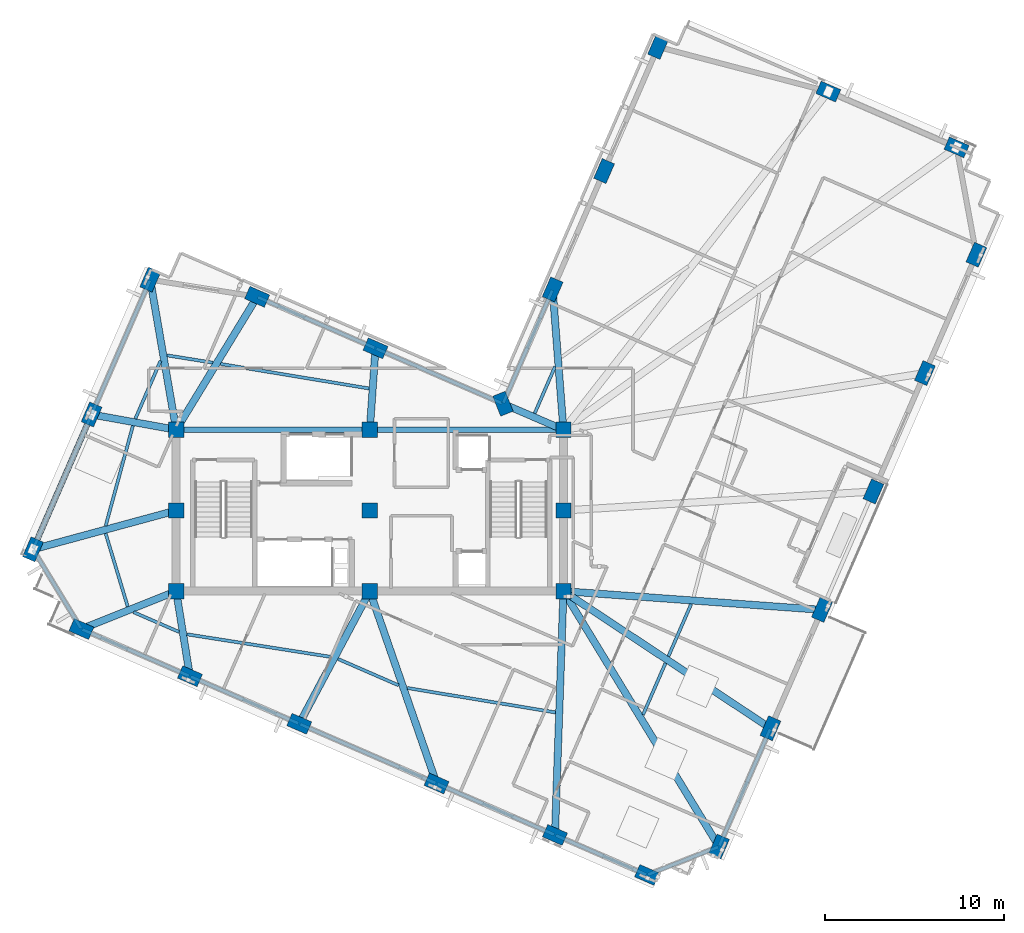
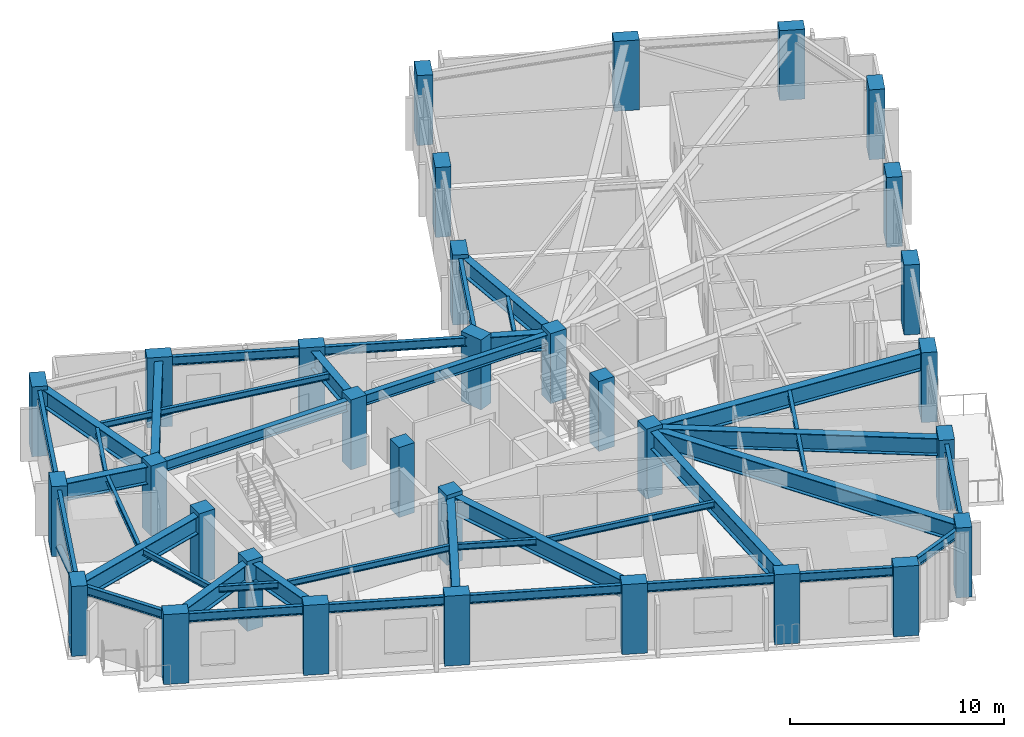
# One storey, part 1 of 11: 42 beams, 32 columns, 1 member.
"""IFC4 building model written with IfcOpenShell, lengths in metres."""

from ifc_helpers import new_model, si_unit, direction, frame, origin, origin_2d, place, context, subcontext, project, spatial, rectangle, hollow_circle, i_section, extrude, material, material_profile, profile_set, type_object, element, save


model = new_model("IFC4")

# Units and contexts
model_context = context("Model", 3, precision=1e-05, world=origin(), true_north=direction((0.0, 1.0)))
body_context = subcontext(model_context, "Body", "Model", "MODEL_VIEW")
ifc_project = project(units=[si_unit("LENGTHUNIT", "METRE"), si_unit("AREAUNIT", "SQUARE_METRE"), si_unit("VOLUMEUNIT", "CUBIC_METRE"), si_unit("PLANEANGLEUNIT", "RADIAN"), si_unit("MASSUNIT", "GRAM", prefix="KILO")], contexts=[model_context])

# Site, building, storey
site_placement = place(None, origin())
site = spatial("IfcSite", under=ifc_project, at=site_placement, CompositionType="ELEMENT")
building_placement = place(site_placement, origin())
building = spatial("IfcBuilding", under=site, at=building_placement, Name="Gaonmaruhae Medical Tower", CompositionType="ELEMENT")
storey_placement = place(building_placement, frame((0.0, 0.0, 324.60009765625)))
storey = spatial("IfcBuildingStorey", under=building, at=storey_placement, Name="L78", CompositionType="ELEMENT", Elevation=324.60009765625)

# Columns
ifc_material_1 = material(Name="Concrete C50/60", Category="concrete")
ifc_material_profile_1 = material_profile(ifc_material_1, rectangle(XDim=0.85009765625, YDim=0.85009765625, at=origin_2d()), Name="RC-850x850")
ifc_profile_set_1 = profile_set([ifc_material_profile_1], Name="Concrete C50/60")
column_type_1 = type_object("IfcColumnType", Name="CC-06 Upper Core Column (RC-850x850)", PredefinedType="COLUMN", material=ifc_profile_set_1)
for number, where, z_axis, x_axis, name in (
    (1, (14.0, 7.800048828125, 0.0), (0.0, 0.0, 1.0), (1.0, 0.0, 0.0), "L78 Plumb Core Column CC11"),
    (2, (14.0, 12.300048828125, 0.0), (0.0, 0.0, 1.0), (1.0, 0.0, 0.0), "L78 Plumb Core Column CC12"),
    (3, (14.0, 16.800048828125, 0.0), (0.0, 0.0, 1.0), (1.0, 0.0, 0.0), "L78 Plumb Core Column CC13"),
    (4, (24.800048828125, 7.800048828125, 0.0), (0.0, 0.0, 1.0), (1.0, 0.0, 0.0), "L78 Plumb Core Column CC21"),
    (5, (24.800048828125, 12.300048828125, 0.0), (0.0, 0.0, 1.0), (1.0, 0.0, 0.0), "L78 Plumb Core Column CC22"),
    (6, (24.800048828125, 16.800048828125, 0.0), (0.0, 0.0, 1.0), (1.0, 0.0, 0.0), "L78 Plumb Core Column CC23"),
    (7, (35.60009765625, 7.800048828125, 0.0), (0.0, 0.0, 1.0), (1.0, 0.0, 0.0), "L78 Plumb Core Column CC31"),
    (8, (35.60009765625, 12.300048828125, 0.0), (0.0, 0.0, 1.0), (1.0, 0.0, 0.0), "L78 Plumb Core Column CC32"),
    (9, (35.60009765625, 16.800048828125, 0.0), (0.0, 0.0, 1.0), (1.0, 0.0, 0.0), "L78 Plumb Core Column CC33"),
):
    element("IfcColumn", number, at=place(storey_placement, frame(where, z_axis=z_axis, x_axis=x_axis)), inside=storey, type_object=column_type_1, Name=name, PredefinedType="COLUMN", context=body_context, shape_type="SweptSolid", body=[
        extrude(rectangle(XDim=0.85009765625, YDim=0.85009765625, at=origin_2d()), origin(), (0.0, 0.0, 1.0), 4.0),
    ])
ifc_material_profile_2 = material_profile(ifc_material_1, rectangle(XDim=1.199951171875, YDim=0.75, at=origin_2d()), Name="RC-1200x750")
ifc_profile_set_2 = profile_set([ifc_material_profile_2], Name="Concrete C50/60")
column_type_2 = type_object("IfcColumnType", Name="TC-03 Upper Raking Tube Pier Column (RC-1200x750)", PredefinedType="COLUMN", material=ifc_profile_set_2)
for number, where, z_axis, x_axis, name in (
    (10, (44.275146484375, -6.448486328125, 0.001708984375), (0.0, 0.0, 1.0), (0.398749068925, 0.917060074385, 0.0), "L78 Perimeter Tube Column S01"),
    (11, (47.14599609375, 0.154296875, 0.001708984375), (0.0, 0.0, 1.0), (0.398749068925, 0.917060074385, 0.0), "L78 Perimeter Tube Column S02"),
    (12, (50.01708984375, 6.75732421875, 0.001708984375), (0.0, 0.0, 1.0), (0.398749068925, 0.917060074385, 0.0), "L78 Perimeter Tube Column S03"),
    (13, (52.88818359375, 13.360107421875, 0.001708984375), (0.0, 0.0, 1.0), (0.398749068925, 0.917060074385, 0.0), "L78 Perimeter Tube Column S04"),
    (14, (55.759033203125, 19.962890625, 0.001708984375), (0.0, 0.0, 1.0), (0.398749068925, 0.917060074385, 0.0), "L78 Perimeter Tube Column S05"),
    (15, (58.630126953125, 26.565673828125, 0.001708984375), (0.0, 0.0, 1.0), (0.398749068925, 0.917060074385, 0.0), "L78 Perimeter Tube Column S06"),
    (16, (57.525634765625, 32.552734375, 0.001708984375), (0.0, 0.0, 1.0), (-0.917060074385, 0.398749068925, 0.0), "L78 Perimeter Tube Column E01"),
    (17, (50.372802734375, 35.662841796875, 0.001708984375), (0.0, 0.0, 1.0), (-0.917060074385, 0.398749068925, 0.0), "L78 Perimeter Tube Column E02"),
    (18, (40.879150390625, 38.155029296875, 0.001708984375), (0.0, 0.0, 1.0), (0.398749068925, 0.917060074385, 0.0), "L78 Perimeter Tube Column E03"),
    (19, (37.868408203125, 31.2314453125, 0.001708984375), (0.0, 0.0, 1.0), (0.398749068925, 0.917060074385, 0.0), "L78 Perimeter Tube Column EN01"),
    (20, (34.99755859375, 24.62841796875, 0.001708984375), (0.0, 0.0, 1.0), (0.398749068925, 0.917060074385, 0.0), "L78 Perimeter Tube Column EN02"),
    (21, (32.226318359375, 18.2548828125, 0.001708984375), (0.0, 0.0, 1.0), (-0.366501226724, 0.930417567982, 0.0), "L78 Perimeter Tube Column KN01"),
    (22, (25.118896484375, 21.34521484375, 0.001708984375), (0.0, 0.0, 1.0), (-0.917060074385, 0.398749068925, 0.0), "L78 Perimeter Tube Column NE01"),
    (23, (18.51611328125, 24.21630859375, 0.001708984375), (0.0, 0.0, 1.0), (-0.917060074385, 0.398749068925, 0.0), "L78 Perimeter Tube Column NE02"),
    (24, (12.55322265625, 25.17333984375, 0.001708984375), (0.0, 0.0, 1.0), (0.398749068925, 0.917060074385, 0.0), "L78 Perimeter Tube Column N01"),
    (25, (9.283447265625, 17.653564453125, 0.001708984375), (0.0, 0.0, 1.0), (0.398749068925, 0.917060074385, 0.0), "L78 Perimeter Tube Column N02"),
    (26, (6.013671875, 10.133544921875, 0.001708984375), (0.0, 0.0, 1.0), (0.398749068925, 0.917060074385, 0.0), "L78 Perimeter Tube Column N03"),
    (27, (8.715087890625, 5.687744140625, 0.001708984375), (0.0, 0.0, 1.0), (-0.917060074385, 0.398749068925, 0.0), "L78 Perimeter Tube Column W01"),
    (28, (14.767578125, 3.055908203125, 0.001708984375), (0.0, 0.0, 1.0), (-0.917060074385, 0.398749068925, 0.0), "L78 Perimeter Tube Column W02"),
    (29, (20.865966796875, 0.404296875, 0.001708984375), (0.0, 0.0, 1.0), (-0.917060074385, 0.398749068925, 0.0), "L78 Perimeter Tube Column W03"),
    (30, (28.5234375, -2.92529296875, 0.001708984375), (0.0, 0.0, 1.0), (-0.917060074385, 0.398749068925, 0.0), "L78 Perimeter Tube Column W04"),
    (31, (35.12646484375, -5.79638671875, 0.001708984375), (0.0, 0.0, 1.0), (-0.917060074385, 0.398749068925, 0.0), "L78 Perimeter Tube Column W05"),
    (32, (40.261962890625, -8.029296875, 0.001708984375), (0.0, 0.0, 1.0), (-0.917060074385, 0.398749068925, 0.0), "L78 Perimeter Tube Column W06"),
):
    element("IfcColumn", number, at=place(storey_placement, frame(where, z_axis=z_axis, x_axis=x_axis)), inside=storey, type_object=column_type_2, Name=name, PredefinedType="COLUMN", context=body_context, shape_type="SweptSolid", body=[
        extrude(rectangle(XDim=1.199951171875, YDim=0.75, at=origin_2d()), origin(), (0.0, 0.0, 1.0), 3.996337890625),
    ])

# Beams
ifc_material_2 = material(Name="Steel SM420", Category="steel")
ifc_material_profile_3 = material_profile(ifc_material_2, i_section(OverallWidth=0.39990234375, OverallDepth=1.0, WebThickness=0.02197265625, FlangeThickness=0.035888671875, at=origin_2d()), Name="BH-1000x400x22x36")
ifc_profile_set_3 = profile_set([ifc_material_profile_3], Name="Steel SM420")
beam_type_1 = type_object("IfcBeamType", Name="BG-02 Refuge Floor Primary Girder (BH-1000x400x22x36)", PredefinedType="BEAM", material=ifc_profile_set_3)
beam_1_placement = place(storey_placement, frame((35.6259765625, 7.75732421875, 3.27978515625), z_axis=(0.520036625826, -0.854143961988, 0.0), x_axis=(0.854143961988, 0.520036625826, 0.0)))
element("IfcBeam", 33, at=beam_1_placement, inside=storey, type_object=beam_type_1, Name="L78 Radial Primary Girder S01", PredefinedType="BEAM", context=body_context, shape_type="SweptSolid", body=[
    extrude(i_section(OverallWidth=0.39990234375, OverallDepth=1.0, WebThickness=0.02197265625, FlangeThickness=0.035888671875, at=origin_2d()), origin(), (0.0, 0.0, 1.0), 16.58154296875),
])
beam_2_placement = place(storey_placement, frame((35.6416015625, 7.7724609375, 3.27978515625), z_axis=(0.833770161097, -0.552111690208, 0.0), x_axis=(0.552111690208, 0.833770161097, 0.0)))
element("IfcBeam", 34, at=beam_2_placement, inside=storey, type_object=beam_type_1, Name="L78 Radial Primary Girder S02", PredefinedType="BEAM", context=body_context, shape_type="SweptSolid", body=[
    extrude(i_section(OverallWidth=0.39990234375, OverallDepth=1.0, WebThickness=0.02197265625, FlangeThickness=0.035888671875, at=origin_2d()), origin(), (0.0, 0.0, 1.0), 13.748291015625),
])
beam_3_placement = place(storey_placement, frame((35.64990234375, 7.79638671875, 3.27978515625), z_axis=(0.997394062708, -0.072146265841, 0.0), x_axis=(0.072146265841, 0.997394062708, 0.0)))
element("IfcBeam", 35, at=beam_3_placement, inside=storey, type_object=beam_type_1, Name="L78 Radial Primary Girder S03", PredefinedType="BEAM", context=body_context, shape_type="SweptSolid", body=[
    extrude(i_section(OverallWidth=0.39990234375, OverallDepth=1.0, WebThickness=0.02197265625, FlangeThickness=0.035888671875, at=origin_2d()), origin(), (0.0, 0.0, 1.0), 14.354736328125),
])
beam_4_placement = place(storey_placement, frame((35.59619140625, 16.849853515625, 3.27978515625), z_axis=(-0.076722992115, 0.997052447207, 0.0), x_axis=(-0.997052447207, -0.076722992115, 0.0)))
element("IfcBeam", 36, at=beam_4_placement, inside=storey, type_object=beam_type_1, Name="L78 Radial Primary Girder EN02", PredefinedType="BEAM", context=body_context, shape_type="SweptSolid", body=[
    extrude(i_section(OverallWidth=0.39990234375, OverallDepth=1.0, WebThickness=0.02197265625, FlangeThickness=0.035888671875, at=origin_2d()), origin(), (0.0, 0.0, 1.0), 7.751708984375),
])
beam_5_placement = place(storey_placement, frame((35.55419921875, 16.81982421875, 3.27978515625), z_axis=(-0.918259431029, 0.395979314266, 0.0), x_axis=(-0.395979314266, -0.918259431029, 0.0)))
element("IfcBeam", 37, at=beam_5_placement, inside=storey, type_object=beam_type_1, Name="L78 Radial Primary Girder KN01", PredefinedType="BEAM", context=body_context, shape_type="SweptSolid", body=[
    extrude(i_section(OverallWidth=0.39990234375, OverallDepth=1.0, WebThickness=0.02197265625, FlangeThickness=0.035888671875, at=origin_2d()), origin(), (0.0, 0.0, 1.0), 3.57421875),
])
beam_6_placement = place(storey_placement, frame((24.803466796875, 16.849853515625, 3.27978515625), z_axis=(0.070012845455, 0.997546089898, 0.0), x_axis=(-0.997546089898, 0.070012845455, 0.0)))
element("IfcBeam", 38, at=beam_6_placement, inside=storey, type_object=beam_type_1, Name="L78 Radial Primary Girder NE01", PredefinedType="BEAM", context=body_context, shape_type="SweptSolid", body=[
    extrude(i_section(OverallWidth=0.39990234375, OverallDepth=1.0, WebThickness=0.02197265625, FlangeThickness=0.035888671875, at=origin_2d()), origin(), (0.0, 0.0, 1.0), 4.45654296875),
])
beam_7_placement = place(storey_placement, frame((14.026123046875, 16.8427734375, 3.27978515625), z_axis=(0.520106658264, 0.854101319534, 0.0), x_axis=(-0.854101319534, 0.520106658264, 0.0)))
element("IfcBeam", 39, at=beam_7_placement, inside=storey, type_object=beam_type_1, Name="L78 Radial Primary Girder NE02", PredefinedType="BEAM", context=body_context, shape_type="SweptSolid", body=[
    extrude(i_section(OverallWidth=0.39990234375, OverallDepth=1.0, WebThickness=0.02197265625, FlangeThickness=0.035888671875, at=origin_2d()), origin(), (0.0, 0.0, 1.0), 8.5830078125),
])
beam_8_placement = place(storey_placement, frame((13.991455078125, 16.849365234375, 3.27978515625), z_axis=(-0.170256429826, 0.985399791, 0.0), x_axis=(-0.985399791, -0.170256429826, 0.0)))
element("IfcBeam", 40, at=beam_8_placement, inside=storey, type_object=beam_type_1, Name="L78 Radial Primary Girder N01", PredefinedType="BEAM", context=body_context, shape_type="SweptSolid", body=[
    extrude(i_section(OverallWidth=0.39990234375, OverallDepth=1.0, WebThickness=0.02197265625, FlangeThickness=0.035888671875, at=origin_2d()), origin(), (0.0, 0.0, 1.0), 8.397216796875),
])
beam_9_placement = place(storey_placement, frame((13.95068359375, 16.808837890625, 3.27978515625), z_axis=(-0.984016905829, 0.17807506575, 0.0), x_axis=(-0.17807506575, -0.984016905829, 0.0)))
element("IfcBeam", 41, at=beam_9_placement, inside=storey, type_object=beam_type_1, Name="L78 Radial Primary Girder N02", PredefinedType="BEAM", context=body_context, shape_type="SweptSolid", body=[
    extrude(i_section(OverallWidth=0.39990234375, OverallDepth=1.0, WebThickness=0.02197265625, FlangeThickness=0.035888671875, at=origin_2d()), origin(), (0.0, 0.0, 1.0), 4.69287109375),
])
beam_10_placement = place(storey_placement, frame((13.95166015625, 12.286865234375, 3.27978515625), z_axis=(-0.965122679795, -0.261798038467, 0.0), x_axis=(0.261798038467, -0.965122679795, 0.0)))
element("IfcBeam", 42, at=beam_10_placement, inside=storey, type_object=beam_type_1, Name="L78 Radial Primary Girder N03", PredefinedType="BEAM", context=body_context, shape_type="SweptSolid", body=[
    extrude(i_section(OverallWidth=0.39990234375, OverallDepth=1.0, WebThickness=0.02197265625, FlangeThickness=0.035888671875, at=origin_2d()), origin(), (0.0, 0.0, 1.0), 8.1748046875),
])
beam_11_placement = place(storey_placement, frame((13.95361328125, 7.781494140625, 3.27978515625), z_axis=(-0.928579037594, -0.371134707272, 0.0), x_axis=(0.371134707272, -0.928579037594, 0.0)))
element("IfcBeam", 43, at=beam_11_placement, inside=storey, type_object=beam_type_1, Name="L78 Radial Primary Girder W01", PredefinedType="BEAM", context=body_context, shape_type="SweptSolid", body=[
    extrude(i_section(OverallWidth=0.39990234375, OverallDepth=1.0, WebThickness=0.02197265625, FlangeThickness=0.035888671875, at=origin_2d()), origin(), (0.0, 0.0, 1.0), 5.591552734375),
])
beam_12_placement = place(storey_placement, frame((14.008056640625, 7.750732421875, 3.27978515625), z_axis=(0.159685869984, -0.987167879809, 0.0), x_axis=(0.987167879809, 0.159685869984, 0.0)))
element("IfcBeam", 44, at=beam_12_placement, inside=storey, type_object=beam_type_1, Name="L78 Radial Primary Girder W02", PredefinedType="BEAM", context=body_context, shape_type="SweptSolid", body=[
    extrude(i_section(OverallWidth=0.39990234375, OverallDepth=1.0, WebThickness=0.02197265625, FlangeThickness=0.035888671875, at=origin_2d()), origin(), (0.0, 0.0, 1.0), 4.705810546875),
])
beam_13_placement = place(storey_placement, frame((24.776611328125, 7.755859375, 3.27978515625), z_axis=(-0.469618843189, -0.882869266722, 0.0), x_axis=(0.882869266722, -0.469618843189, 0.0)))
element("IfcBeam", 45, at=beam_13_placement, inside=storey, type_object=beam_type_1, Name="L78 Radial Primary Girder W03", PredefinedType="BEAM", context=body_context, shape_type="SweptSolid", body=[
    extrude(i_section(OverallWidth=0.39990234375, OverallDepth=1.0, WebThickness=0.02197265625, FlangeThickness=0.035888671875, at=origin_2d()), origin(), (0.0, 0.0, 1.0), 8.27685546875),
])
beam_14_placement = place(storey_placement, frame((24.81640625, 7.752685546875, 3.27978515625), z_axis=(0.327964362011, -0.944690095878, 0.0), x_axis=(0.944690095878, 0.327964362011, 0.0)))
element("IfcBeam", 46, at=beam_14_placement, inside=storey, type_object=beam_type_1, Name="L78 Radial Primary Girder W04", PredefinedType="BEAM", context=body_context, shape_type="SweptSolid", body=[
    extrude(i_section(OverallWidth=0.39990234375, OverallDepth=1.0, WebThickness=0.02197265625, FlangeThickness=0.035888671875, at=origin_2d()), origin(), (0.0, 0.0, 1.0), 11.253173828125),
])
beam_15_placement = place(storey_placement, frame((35.59814453125, 7.75, 3.27978515625), z_axis=(-0.034800997703, -0.99939426182, 0.0), x_axis=(0.99939426182, -0.034800997703, 0.0)))
element("IfcBeam", 47, at=beam_15_placement, inside=storey, type_object=beam_type_1, Name="L78 Radial Primary Girder W05", PredefinedType="BEAM", context=body_context, shape_type="SweptSolid", body=[
    extrude(i_section(OverallWidth=0.39990234375, OverallDepth=1.0, WebThickness=0.02197265625, FlangeThickness=0.035888671875, at=origin_2d()), origin(), (0.0, 0.0, 1.0), 13.504638671875),
])
ifc_material_3 = material(Name="Steel SM355", Category="steel")
ifc_material_profile_4 = material_profile(ifc_material_3, i_section(OverallWidth=0.175048828125, OverallDepth=0.35009765625, WebThickness=0.007080078125, FlangeThickness=0.010986328125, FilletRadius=0.012939453125, at=origin_2d()), Name="H-350x175x7x11")
ifc_profile_set_4 = profile_set([ifc_material_profile_4], Name="Steel SM355")
beam_type_2 = type_object("IfcBeamType", Name="FJ-02 Upper Zone Ward Floor Joist (H-350x175x7x11)", PredefinedType="JOIST", material=ifc_profile_set_4)
beam_16_placement = place(storey_placement, frame((40.03759765625, 0.905517578125, 3.60498046875), z_axis=(0.39874601067, 0.917061404146, 0.0), x_axis=(-0.917061404146, 0.39874601067, 0.0)))
element("IfcBeam", 48, at=beam_16_placement, inside=storey, type_object=beam_type_2, Name="L78 Secondary Floor Joist FJ01", PredefinedType="JOIST", context=body_context, shape_type="SweptSolid", body=[
    extrude(i_section(OverallWidth=0.175048828125, OverallDepth=0.35009765625, WebThickness=0.007080078125, FlangeThickness=0.010986328125, FilletRadius=0.012939453125, at=origin_2d()), origin(), (0.0, 0.0, 1.0), 3.140380859375),
])
beam_17_placement = place(storey_placement, frame((41.45654296875, 4.1689453125, 3.60498046875), z_axis=(0.398742993355, 0.917062716094, 0.0), x_axis=(-0.917062716094, 0.398742993355, 0.0)))
element("IfcBeam", 49, at=beam_17_placement, inside=storey, type_object=beam_type_2, Name="L78 Secondary Floor Joist FJ02", PredefinedType="JOIST", context=body_context, shape_type="SweptSolid", body=[
    extrude(i_section(OverallWidth=0.175048828125, OverallDepth=0.35009765625, WebThickness=0.007080078125, FlangeThickness=0.010986328125, FilletRadius=0.012939453125, at=origin_2d()), origin(), (0.0, 0.0, 1.0), 3.1728515625),
])
beam_18_placement = place(storey_placement, frame((35.1259765625, 20.31689453125, 3.60498046875), z_axis=(-0.398704074368, -0.917079637263, 0.0), x_axis=(0.917079637263, -0.398704074368, 0.0)))
element("IfcBeam", 50, at=beam_18_placement, inside=storey, type_object=beam_type_2, Name="L78 Secondary Floor Joist FJ08", PredefinedType="JOIST", context=body_context, shape_type="SweptSolid", body=[
    extrude(i_section(OverallWidth=0.175048828125, OverallDepth=0.35009765625, WebThickness=0.007080078125, FlangeThickness=0.010986328125, FilletRadius=0.012939453125, at=origin_2d()), origin(), (0.0, 0.0, 1.0), 2.835693359375),
])
beam_19_placement = place(storey_placement, frame((24.75537109375, 19.106201171875, 3.60498046875), z_axis=(-0.986663894193, 0.162770881598, 0.0), x_axis=(-0.162770881598, -0.986663894193, 0.0)))
element("IfcBeam", 51, at=beam_19_placement, inside=storey, type_object=beam_type_2, Name="L78 Secondary Floor Joist FJ10", PredefinedType="JOIST", context=body_context, shape_type="SweptSolid", body=[
    extrude(i_section(OverallWidth=0.175048828125, OverallDepth=0.35009765625, WebThickness=0.007080078125, FlangeThickness=0.010986328125, FilletRadius=0.012939453125, at=origin_2d()), origin(), (0.0, 0.0, 1.0), 8.390380859375),
])
beam_20_placement = place(storey_placement, frame((16.038818359375, 20.543212890625, 3.60498046875), z_axis=(-0.987360795074, 0.158488675779, 0.0), x_axis=(-0.158488675779, -0.987360795074, 0.0)))
element("IfcBeam", 52, at=beam_20_placement, inside=storey, type_object=beam_type_2, Name="L78 Secondary Floor Joist FJ11", PredefinedType="JOIST", context=body_context, shape_type="SweptSolid", body=[
    extrude(i_section(OverallWidth=0.175048828125, OverallDepth=0.35009765625, WebThickness=0.007080078125, FlangeThickness=0.010986328125, FilletRadius=0.012939453125, at=origin_2d()), origin(), (0.0, 0.0, 1.0), 2.580322265625),
])
beam_21_placement = place(storey_placement, frame((13.12890625, 20.64697265625, 3.60498046875), z_axis=(-0.398746411425, -0.917061229895, 0.0), x_axis=(0.917061229895, -0.398746411425, 0.0)))
element("IfcBeam", 53, at=beam_21_placement, inside=storey, type_object=beam_type_2, Name="L78 Secondary Floor Joist FJ12", PredefinedType="JOIST", context=body_context, shape_type="SweptSolid", body=[
    extrude(i_section(OverallWidth=0.175048828125, OverallDepth=0.35009765625, WebThickness=0.007080078125, FlangeThickness=0.010986328125, FilletRadius=0.012939453125, at=origin_2d()), origin(), (0.0, 0.0, 1.0), 3.51806640625),
])
beam_22_placement = place(storey_placement, frame((11.58740234375, 17.027099609375, 3.60498046875), z_axis=(-0.262477989376, -0.964937979921, 0.0), x_axis=(0.964937979921, -0.262477989376, 0.0)))
element("IfcBeam", 54, at=beam_22_placement, inside=storey, type_object=beam_type_2, Name="L78 Secondary Floor Joist FJ13", PredefinedType="JOIST", context=body_context, shape_type="SweptSolid", body=[
    extrude(i_section(OverallWidth=0.175048828125, OverallDepth=0.35009765625, WebThickness=0.007080078125, FlangeThickness=0.010986328125, FilletRadius=0.012939453125, at=origin_2d()), origin(), (0.0, 0.0, 1.0), 5.78369140625),
])
beam_23_placement = place(storey_placement, frame((10.06640625, 11.01953125, 3.60498046875), z_axis=(0.289103701868, -0.957297785209, 0.0), x_axis=(0.957297785209, 0.289103701868, 0.0)))
element("IfcBeam", 55, at=beam_23_placement, inside=storey, type_object=beam_type_2, Name="L78 Secondary Floor Joist FJ14", PredefinedType="JOIST", context=body_context, shape_type="SweptSolid", body=[
    extrude(i_section(OverallWidth=0.175048828125, OverallDepth=0.35009765625, WebThickness=0.007080078125, FlangeThickness=0.010986328125, FilletRadius=0.012939453125, at=origin_2d()), origin(), (0.0, 0.0, 1.0), 4.259521484375),
])
beam_24_placement = place(storey_placement, frame((11.62109375, 6.629150390625, 3.60498046875), z_axis=(0.917075663277, -0.398713215012, 0.0), x_axis=(0.398713215012, 0.917075663277, 0.0)))
element("IfcBeam", 56, at=beam_24_placement, inside=storey, type_object=beam_type_2, Name="L78 Secondary Floor Joist FJ15", PredefinedType="JOIST", context=body_context, shape_type="SweptSolid", body=[
    extrude(i_section(OverallWidth=0.175048828125, OverallDepth=0.35009765625, WebThickness=0.007080078125, FlangeThickness=0.010986328125, FilletRadius=0.012939453125, at=origin_2d()), origin(), (0.0, 0.0, 1.0), 2.768798828125),
])
beam_25_placement = place(storey_placement, frame((14.59765625, 5.39453125, 3.60498046875), z_axis=(0.9879068852, -0.15504833496, 0.0), x_axis=(0.15504833496, 0.9879068852, 0.0)))
element("IfcBeam", 57, at=beam_25_placement, inside=storey, type_object=beam_type_2, Name="L78 Secondary Floor Joist FJ16", PredefinedType="JOIST", context=body_context, shape_type="SweptSolid", body=[
    extrude(i_section(OverallWidth=0.175048828125, OverallDepth=0.35009765625, WebThickness=0.007080078125, FlangeThickness=0.010986328125, FilletRadius=0.012939453125, at=origin_2d()), origin(), (0.0, 0.0, 1.0), 8.11865234375),
])
beam_26_placement = place(storey_placement, frame((23.0224609375, 4.019775390625, 3.60498046875), z_axis=(0.91705533197, -0.398759975555, 0.0), x_axis=(0.398759975555, 0.91705533197, 0.0)))
element("IfcBeam", 58, at=beam_26_placement, inside=storey, type_object=beam_type_2, Name="L78 Secondary Floor Joist FJ17", PredefinedType="JOIST", context=body_context, shape_type="SweptSolid", body=[
    extrude(i_section(OverallWidth=0.175048828125, OverallDepth=0.35009765625, WebThickness=0.007080078125, FlangeThickness=0.010986328125, FilletRadius=0.012939453125, at=origin_2d()), origin(), (0.0, 0.0, 1.0), 3.690673828125),
])
beam_27_placement = place(storey_placement, frame((26.892333984375, 2.3994140625, 3.60498046875), z_axis=(0.986661186603, -0.162787293274, 0.0), x_axis=(0.162787293274, 0.986661186603, 0.0)))
element("IfcBeam", 59, at=beam_27_placement, inside=storey, type_object=beam_type_2, Name="L78 Secondary Floor Joist FJ18", PredefinedType="JOIST", context=body_context, shape_type="SweptSolid", body=[
    extrude(i_section(OverallWidth=0.175048828125, OverallDepth=0.35009765625, WebThickness=0.007080078125, FlangeThickness=0.010986328125, FilletRadius=0.012939453125, at=origin_2d()), origin(), (0.0, 0.0, 1.0), 8.377685546875),
])

# Member
ifc_material_profile_5 = material_profile(ifc_material_3, hollow_circle(Radius=0.1591796875, WallThickness=0.01025390625, at=origin_2d()), Name="CHS-318.5x10.3")
ifc_profile_set_5 = profile_set([ifc_material_profile_5], Name="Steel SM355")
member_type = type_object("IfcMemberType", Name="PB-03 Perimeter Solid-Bay Tube Brace Upper (CHS-318.5x10.3)", PredefinedType="BRACE", material=ifc_profile_set_5)
member_placement = place(storey_placement, frame((9.283447265625, 17.653564453125, 0.25), z_axis=(-0.370231257268, -0.851479368802, 0.371364646467), x_axis=(0.917061062653, -0.398746796056, 0.0)))
element("IfcMember", 60, at=member_placement, inside=storey, type_object=member_type, Name="L78 Perimeter Tube Solid-Bay Brace N02-N03", PredefinedType="BRACE", context=body_context, shape_type="SweptSolid", body=[
    extrude(hollow_circle(Radius=0.1591796875, WallThickness=0.01025390625, at=origin_2d()), origin(), (0.0, 0.0, 1.0), 8.831787109375),
])

# Beams
ifc_material_profile_6 = material_profile(ifc_material_2, i_section(OverallWidth=0.300048828125, OverallDepth=0.60009765625, WebThickness=0.011962890625, FlangeThickness=0.02001953125, FilletRadius=0.012939453125, at=origin_2d()), Name="H-600x300x12x20")
ifc_profile_set_6 = profile_set([ifc_material_profile_6], Name="Steel SM420")
beam_type_3 = type_object("IfcBeamType", Name="PG-04 Zone 4 Radial Floor Girder (H-600x300x12x20)", PredefinedType="BEAM", material=ifc_profile_set_6)
for number, where, z_axis, x_axis, name in (
    (61, (14.050048828125, 16.800048828125, 3.47998046875), (1.0, 0.0, 0.0), (0.0, 1.0, 0.0), "L78 Beam BM-L78-CG-N1"),
    (62, (24.85009765625, 16.800048828125, 3.47998046875), (1.0, 0.0, 0.0), (0.0, 1.0, 0.0), "L78 Beam BM-L78-CG-N2"),
):
    element("IfcBeam", number, at=place(storey_placement, frame(where, z_axis=z_axis, x_axis=x_axis)), inside=storey, type_object=beam_type_3, Name=name, PredefinedType="BEAM", context=body_context, shape_type="SweptSolid", body=[
        extrude(i_section(OverallWidth=0.300048828125, OverallDepth=0.60009765625, WebThickness=0.011962890625, FlangeThickness=0.02001953125, FilletRadius=0.012939453125, at=origin_2d()), origin(), (0.0, 0.0, 1.0), 10.699951171875),
    ])
ifc_material_profile_7 = material_profile(ifc_material_3, i_section(OverallWidth=0.199951171875, OverallDepth=0.5, WebThickness=0.010009765625, FlangeThickness=0.01611328125, FilletRadius=0.012939453125, at=origin_2d()), Name="H-500x200x10x16")
ifc_profile_set_7 = profile_set([ifc_material_profile_7], Name="Steel SM355")
beam_type_4 = type_object("IfcBeamType", Name="SP-02 Upper Perimeter Spandrel Beam (H-500x200x10x16)", PredefinedType="SPANDREL", material=ifc_profile_set_7)
beam_28_placement = place(storey_placement, frame((44.291015625, -6.411865234375, 3.52978515625), z_axis=(0.398747426125, 0.917060788693, 0.0), x_axis=(-0.917060788693, 0.398747426125, 0.0)))
element("IfcBeam", 63, at=beam_28_placement, inside=storey, type_object=beam_type_4, Name="L78 Perimeter Spandrel Beam S01-S02", PredefinedType="SPANDREL", context=body_context, shape_type="SweptSolid", body=[
    extrude(i_section(OverallWidth=0.199951171875, OverallDepth=0.5, WebThickness=0.010009765625, FlangeThickness=0.01611328125, FilletRadius=0.012939453125, at=origin_2d()), origin(), (0.0, 0.0, 1.0), 7.1201171875),
])
beam_29_placement = place(storey_placement, frame((34.981689453125, 24.591796875, 3.52978515625), z_axis=(-0.398768993563, -0.917051410649, 0.0), x_axis=(0.917051410649, -0.398768993563, 0.0)))
element("IfcBeam", 64, at=beam_29_placement, inside=storey, type_object=beam_type_4, Name="L78 Perimeter Spandrel Beam EN02-KN01", PredefinedType="SPANDREL", context=body_context, shape_type="SweptSolid", body=[
    extrude(i_section(OverallWidth=0.199951171875, OverallDepth=0.5, WebThickness=0.010009765625, FlangeThickness=0.01611328125, FilletRadius=0.012939453125, at=origin_2d()), origin(), (0.0, 0.0, 1.0), 6.869873046875),
])
beam_30_placement = place(storey_placement, frame((32.189453125, 18.27099609375, 3.52978515625), z_axis=(-0.917059428629, 0.398750554059, 0.0), x_axis=(-0.398750554059, -0.917059428629, 0.0)))
element("IfcBeam", 65, at=beam_30_placement, inside=storey, type_object=beam_type_4, Name="L78 Perimeter Spandrel Beam KN01-NE01", PredefinedType="SPANDREL", context=body_context, shape_type="SweptSolid", body=[
    extrude(i_section(OverallWidth=0.199951171875, OverallDepth=0.5, WebThickness=0.010009765625, FlangeThickness=0.01611328125, FilletRadius=0.012939453125, at=origin_2d()), origin(), (0.0, 0.0, 1.0), 7.669921875),
])
beam_31_placement = place(storey_placement, frame((25.082275390625, 21.361083984375, 3.52978515625), z_axis=(-0.917055336493, 0.398759965154, 0.0), x_axis=(-0.398759965154, -0.917055336493, 0.0)))
element("IfcBeam", 66, at=beam_31_placement, inside=storey, type_object=beam_type_4, Name="L78 Perimeter Spandrel Beam NE01-NE02", PredefinedType="SPANDREL", context=body_context, shape_type="SweptSolid", body=[
    extrude(i_section(OverallWidth=0.199951171875, OverallDepth=0.5, WebThickness=0.010009765625, FlangeThickness=0.01611328125, FilletRadius=0.012939453125, at=origin_2d()), origin(), (0.0, 0.0, 1.0), 7.119873046875),
])
for number, where, z_axis, x_axis, name in (
    (67, (12.537353515625, 25.13671875, 3.52978515625), (-0.398743701995, -0.917062407974, 0.0), (0.917062407974, -0.398743701995, 0.0), "L78 Perimeter Spandrel Beam N01-N02"),
    (68, (9.267578125, 17.61669921875, 3.52978515625), (-0.398743701995, -0.917062407974, 0.0), (0.917062407974, -0.398743701995, 0.0), "L78 Perimeter Spandrel Beam N02-N03"),
):
    element("IfcBeam", number, at=place(storey_placement, frame(where, z_axis=z_axis, x_axis=x_axis)), inside=storey, type_object=beam_type_4, Name=name, PredefinedType="SPANDREL", context=body_context, shape_type="SweptSolid", body=[
        extrude(i_section(OverallWidth=0.199951171875, OverallDepth=0.5, WebThickness=0.010009765625, FlangeThickness=0.01611328125, FilletRadius=0.012939453125, at=origin_2d()), origin(), (0.0, 0.0, 1.0), 8.119873046875),
    ])
beam_32_placement = place(storey_placement, frame((6.034423828125, 10.099365234375, 3.52978515625), z_axis=(0.519289042516, -0.854598672081, 0.0), x_axis=(0.854598672081, 0.519289042516, 0.0)))
element("IfcBeam", 69, at=beam_32_placement, inside=storey, type_object=beam_type_4, Name="L78 Perimeter Spandrel Beam N03-W01", PredefinedType="SPANDREL", context=body_context, shape_type="SweptSolid", body=[
    extrude(i_section(OverallWidth=0.199951171875, OverallDepth=0.5, WebThickness=0.010009765625, FlangeThickness=0.01611328125, FilletRadius=0.012939453125, at=origin_2d()), origin(), (0.0, 0.0, 1.0), 5.122314453125),
])
beam_33_placement = place(storey_placement, frame((8.751708984375, 5.671630859375, 3.52978515625), z_axis=(0.917059935749, -0.398749387767, 0.0), x_axis=(0.398749387767, 0.917059935749, 0.0)))
element("IfcBeam", 70, at=beam_33_placement, inside=storey, type_object=beam_type_4, Name="L78 Perimeter Spandrel Beam W01-W02", PredefinedType="SPANDREL", context=body_context, shape_type="SweptSolid", body=[
    extrude(i_section(OverallWidth=0.199951171875, OverallDepth=0.5, WebThickness=0.010009765625, FlangeThickness=0.01611328125, FilletRadius=0.012939453125, at=origin_2d()), origin(), (0.0, 0.0, 1.0), 6.52001953125),
])
beam_34_placement = place(storey_placement, frame((14.80419921875, 3.0400390625, 3.52978515625), z_axis=(0.917056468028, -0.398757362876, 0.0), x_axis=(0.398757362876, 0.917056468028, 0.0)))
element("IfcBeam", 71, at=beam_34_placement, inside=storey, type_object=beam_type_4, Name="L78 Perimeter Spandrel Beam W02-W03", PredefinedType="SPANDREL", context=body_context, shape_type="SweptSolid", body=[
    extrude(i_section(OverallWidth=0.199951171875, OverallDepth=0.5, WebThickness=0.010009765625, FlangeThickness=0.01611328125, FilletRadius=0.012939453125, at=origin_2d()), origin(), (0.0, 0.0, 1.0), 6.570068359375),
])
beam_35_placement = place(storey_placement, frame((20.90283203125, 0.388427734375, 3.52978515625), z_axis=(0.917049404199, -0.398773607775, 0.0), x_axis=(0.398773607775, 0.917049404199, 0.0)))
element("IfcBeam", 72, at=beam_35_placement, inside=storey, type_object=beam_type_4, Name="L78 Perimeter Spandrel Beam W03-W04", PredefinedType="SPANDREL", context=body_context, shape_type="SweptSolid", body=[
    extrude(i_section(OverallWidth=0.199951171875, OverallDepth=0.5, WebThickness=0.010009765625, FlangeThickness=0.01611328125, FilletRadius=0.012939453125, at=origin_2d()), origin(), (0.0, 0.0, 1.0), 8.27001953125),
])
beam_36_placement = place(storey_placement, frame((28.560302734375, -2.941162109375, 3.52978515625), z_axis=(0.917055336493, -0.398759965154, 0.0), x_axis=(0.398759965154, 0.917055336493, 0.0)))
element("IfcBeam", 73, at=beam_36_placement, inside=storey, type_object=beam_type_4, Name="L78 Perimeter Spandrel Beam W04-W05", PredefinedType="SPANDREL", context=body_context, shape_type="SweptSolid", body=[
    extrude(i_section(OverallWidth=0.199951171875, OverallDepth=0.5, WebThickness=0.010009765625, FlangeThickness=0.01611328125, FilletRadius=0.012939453125, at=origin_2d()), origin(), (0.0, 0.0, 1.0), 7.119873046875),
])
beam_37_placement = place(storey_placement, frame((35.1630859375, -5.812255859375, 3.52978515625), z_axis=(0.917050366415, -0.398771394984, 0.0), x_axis=(0.398771394984, 0.917050366415, 0.0)))
element("IfcBeam", 74, at=beam_37_placement, inside=storey, type_object=beam_type_4, Name="L78 Perimeter Spandrel Beam W05-W06", PredefinedType="SPANDREL", context=body_context, shape_type="SweptSolid", body=[
    extrude(i_section(OverallWidth=0.199951171875, OverallDepth=0.5, WebThickness=0.010009765625, FlangeThickness=0.01611328125, FilletRadius=0.012939453125, at=origin_2d()), origin(), (0.0, 0.0, 1.0), 5.519775390625),
])
beam_38_placement = place(storey_placement, frame((40.299072265625, -8.0146484375, 3.52978515625), z_axis=(0.930416736169, 0.366503338397, 0.0), x_axis=(-0.366503338397, 0.930416736169, 0.0)))
element("IfcBeam", 75, at=beam_38_placement, inside=storey, type_object=beam_type_4, Name="L78 Perimeter Spandrel Beam W06-S01", PredefinedType="SPANDREL", context=body_context, shape_type="SweptSolid", body=[
    extrude(i_section(OverallWidth=0.199951171875, OverallDepth=0.5, WebThickness=0.010009765625, FlangeThickness=0.01611328125, FilletRadius=0.012939453125, at=origin_2d()), origin(), (0.0, 0.0, 1.0), 4.2333984375),
])

save(model, "model.ifc")
